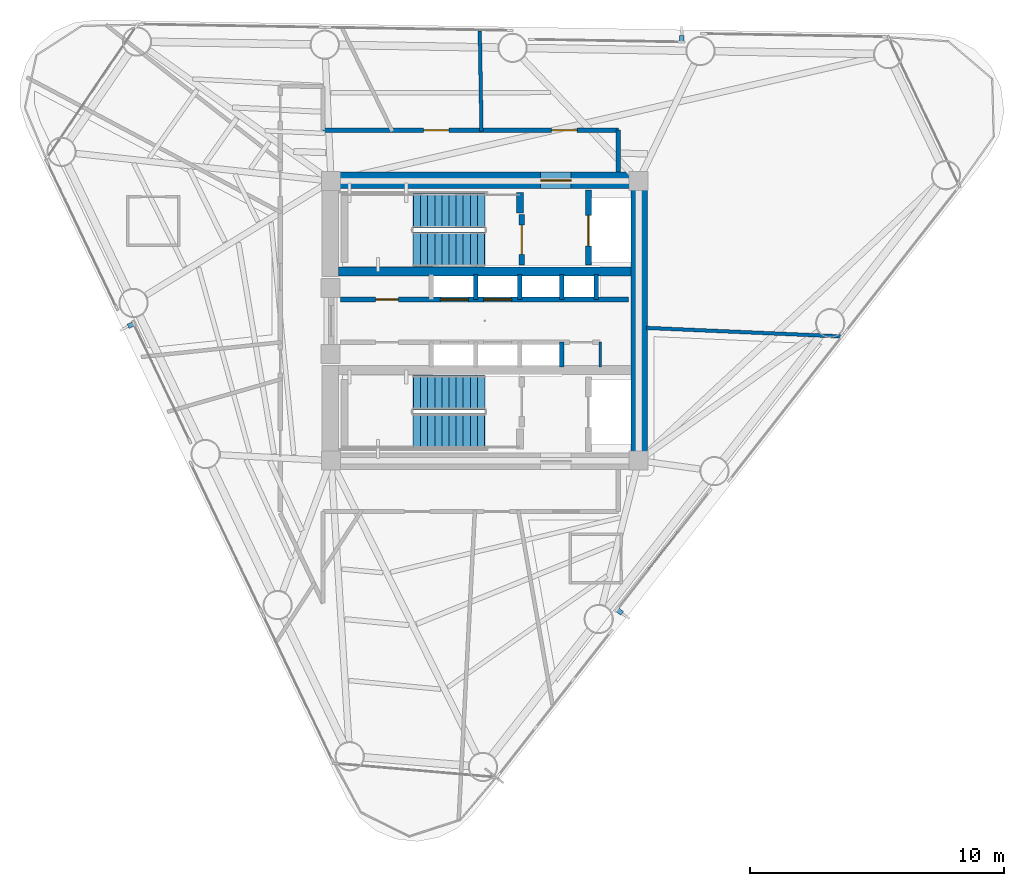
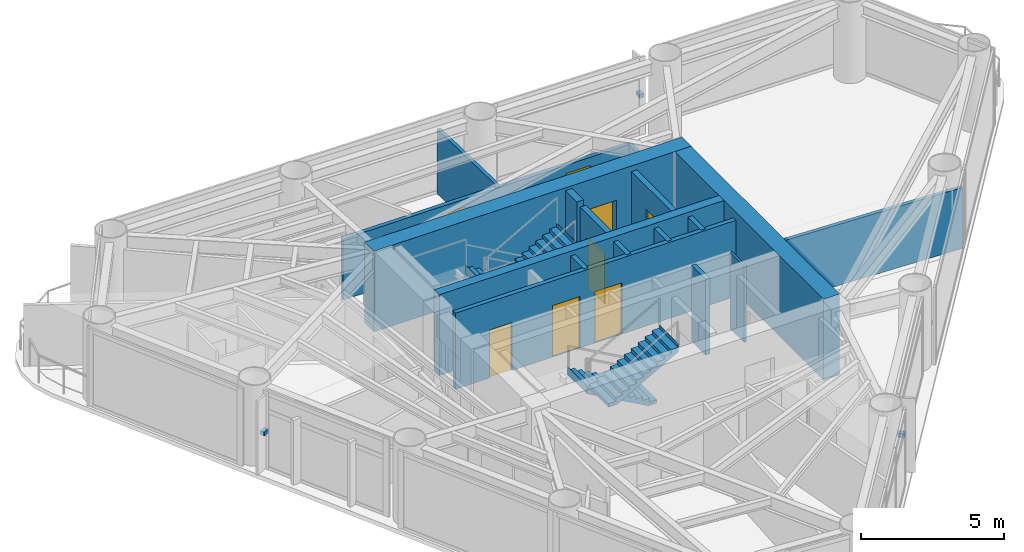
# One storey, part 6 of 10: 17 walls, 8 doors, 4 stair flights, 3 discrete accessories, 8 openings, 2 elements without a shape of their own.
"""IFC4 building model written with IfcOpenShell, lengths in metres."""

from ifc_helpers import new_model, si_unit, direction, frame, frame_2d, origin, origin_2d, place, context, subcontext, project, spatial, polyline, rectangle, outline, extrude, source, transform, mapped, material, layer, layer_set, type_object, element, fill, aggregate, save


model = new_model("IFC4")

# Units and contexts
model_context = context("Model", 3, precision=1e-05, world=origin(), true_north=direction((0.0, 1.0)))
body_context = subcontext(model_context, "Body", "Model", "MODEL_VIEW")
ifc_project = project(units=[si_unit("LENGTHUNIT", "METRE"), si_unit("AREAUNIT", "SQUARE_METRE"), si_unit("VOLUMEUNIT", "CUBIC_METRE"), si_unit("PLANEANGLEUNIT", "RADIAN"), si_unit("MASSUNIT", "GRAM", prefix="KILO")], contexts=[model_context])

# Site, building, storey
site_placement = place(None, origin())
site = spatial("IfcSite", under=ifc_project, at=site_placement, CompositionType="ELEMENT")
building_placement = place(site_placement, origin())
building = spatial("IfcBuilding", under=site, at=building_placement, Name="Yunling Apex Tower", CompositionType="ELEMENT")
storey_placement = place(building_placement, frame((0.0, 0.0, 191.449951171875)))
storey = spatial("IfcBuildingStorey", under=building, at=storey_placement, Name="L46", CompositionType="ELEMENT", Elevation=191.449951171875)

# Wall, opening, door
ifc_material_1 = material(Name="Concrete C50", Category="concrete")
ifc_layer_1 = layer(ifc_material_1, 0.64990234375)
ifc_layer_set_1 = layer_set([ifc_layer_1], Name="Concrete C50")
wall_type_1 = type_object("IfcWallType", Name="WL-COR-2", PredefinedType="SHEAR", material=ifc_layer_set_1)
wall_1_placement = place(storey_placement, frame((-6.39990234375, 5.52490234375, 0.0), z_axis=(0.0, 0.0, 1.0), x_axis=(1.0, 0.0, 0.0)))
wall_1 = element("IfcWall", 1, at=wall_1_placement, inside=storey, type_object=wall_type_1, Name="L46 North Core Shear Wall", PredefinedType="SHEAR", context=body_context, shape_type="SweptSolid", body=[
    extrude(rectangle(XDim=12.7998046875, YDim=0.64990234375, at=frame_2d((6.39990234375, 0.0))), origin(), (0.0, 0.0, 1.0), 3.449951171875),
])
opening_1_placement = place(wall_1_placement, frame((8.60009765625, 0.0, 0.0)))
opening_1 = element("IfcOpeningElement", 2, at=opening_1_placement, cuts=wall_1, Name="Opening DR-FFL-1", PredefinedType="OPENING", context=body_context, shape_type="SweptSolid", body=[
    extrude(rectangle(XDim=1.199951171875, YDim=2.199951171875, at=frame_2d((0.60009765625, 1.10009765625))), frame((0.0, 0.3349609375, 0.0), z_axis=(0.0, -1.0, 0.0), x_axis=(1.0, 0.0, 0.0)), (0.0, 0.0, 1.0), 0.669921875),
])
ifc_material_2 = material(Name="Steel Q355B", Category="steel")
door_type_1 = type_object("IfcDoorType", Name="DR-FFL-1", OperationType="NOTDEFINED", PredefinedType="DOOR", material=ifc_material_2)
door_1_placement = place(opening_1_placement, origin())
door_1 = element("IfcDoor", 3, at=door_1_placement, inside=storey, type_object=door_type_1, Name="L46 North Firefighting Lobby Door", OperationType="SINGLE_SWING_LEFT", OverallHeight=2.199951171875, OverallWidth=1.199951171875, PredefinedType="DOOR", context=body_context, shape_type="SweptSolid", body=[
    extrude(rectangle(XDim=1.199951171875, YDim=2.199951171875, at=frame_2d((0.60009765625, 1.10009765625))), frame((0.0, 0.02490234375, 0.0), z_axis=(0.0, -1.0, 0.0), x_axis=(1.0, 0.0, 0.0)), (0.0, 0.0, 1.0), 0.050048828125),
])
fill(opening_1, door_1)

# Walls
wall_2_placement = place(storey_placement, frame((6.074951171875, -5.199951171875, 0.0), z_axis=(0.0, 0.0, 1.0), x_axis=(0.0, 1.0, 0.0)))
element("IfcWall", 4, at=wall_2_placement, inside=storey, type_object=wall_type_1, Name="L46 East Core Shear Wall", PredefinedType="SHEAR", context=body_context, shape_type="SweptSolid", body=[
    extrude(rectangle(XDim=10.39990234375, YDim=0.64990234375, at=frame_2d((5.199951171875, 0.0))), origin(), (0.0, 0.0, 1.0), 3.449951171875),
])
ifc_material_3 = material(Name="Concrete C40", Category="concrete")
ifc_layer_2 = layer(ifc_material_3, 0.360107421875)
ifc_layer_set_2 = layer_set([ifc_layer_2], Name="Concrete C40")
wall_type_2 = type_object("IfcWallType", Name="WL-COR-4", PredefinedType="SHEAR", material=ifc_layer_set_2)
wall_3_placement = place(storey_placement, frame((-5.75, 1.93994140625, 0.0), z_axis=(0.0, 0.0, 1.0), x_axis=(1.0, 0.0, 0.0)))
element("IfcWall", 5, at=wall_3_placement, inside=storey, type_object=wall_type_2, Name="L46 North Internal Core Shear Wall", PredefinedType="SHEAR", context=body_context, shape_type="SweptSolid", body=[
    extrude(rectangle(XDim=11.5, YDim=0.360107421875, at=frame_2d((5.75, 0.0))), origin(), (0.0, 0.0, 1.0), 3.449951171875),
])
ifc_layer_3 = layer(ifc_material_3, 0.280029296875)
ifc_layer_set_3 = layer_set([ifc_layer_3], Name="Concrete C40")
wall_type_3 = type_object("IfcWallType", Name="WL-COR-8", PredefinedType="SHEAR", material=ifc_layer_set_3)
wall_4_placement = place(storey_placement, frame((1.3798828125, 4.25, 0.0), z_axis=(0.0, 0.0, 1.0), x_axis=(0.0, 1.0, 0.0)))
element("IfcWall", 6, at=wall_4_placement, inside=storey, type_object=wall_type_3, Name="L46 ST-1 East Landing Bearing Pier", PredefinedType="SHEAR", context=body_context, shape_type="SweptSolid", body=[
    extrude(rectangle(XDim=0.800048828125, YDim=0.280029296875, at=frame_2d((0.39990234375, 0.0))), origin(), (0.0, 0.0, 1.0), 3.449951171875),
])

# Wall, openings, doors
ifc_material_4 = material(Name="Gypsum board acoustic partition")
ifc_layer_4 = layer(ifc_material_4, 0.159912109375)
ifc_layer_set_4 = layer_set([ifc_layer_4], Name="Gypsum board acoustic partition")
wall_type_4 = type_object("IfcWallType", Name="WL-PRT-1", PredefinedType="PARTITIONING", material=ifc_layer_set_4)
wall_5_placement = place(storey_placement, frame((-6.360107421875, 7.5, 0.0), z_axis=(0.0, 0.0, 1.0), x_axis=(1.0, 0.0, 0.0)))
wall_5 = element("IfcWall", 7, at=wall_5_placement, inside=storey, type_object=wall_type_4, Name="WL-CORR-L46-07", PredefinedType="PARTITIONING", context=body_context, shape_type="SweptSolid", body=[
    extrude(rectangle(XDim=11.610107421875, YDim=0.159912109375, at=frame_2d((5.80517578125, 0.0))), origin(), (0.0, 0.0, 1.0), 2.60498046875),
])
opening_2_placement = place(wall_5_placement, frame((3.94775390625, 0.0, 0.0)))
opening_2 = element("IfcOpeningElement", 8, at=opening_2_placement, cuts=wall_5, Name="Opening DR-OFF-1", PredefinedType="OPENING", context=body_context, shape_type="SweptSolid", body=[
    extrude(rectangle(XDim=1.0, YDim=2.25, at=frame_2d((0.5, 1.125))), frame((0.0, 0.08984375, 0.0), z_axis=(0.0, -1.0, 0.0), x_axis=(1.0, 0.0, 0.0)), (0.0, 0.0, 1.0), 0.179931640625),
])
opening_3_placement = place(wall_5_placement, frame((8.9931640625, 0.0, 0.0)))
opening_3 = element("IfcOpeningElement", 9, at=opening_3_placement, cuts=wall_5, Name="Opening DR-OFF-1", PredefinedType="OPENING", context=body_context, shape_type="SweptSolid", body=[
    extrude(rectangle(XDim=1.0, YDim=2.25, at=frame_2d((0.5, 1.125))), frame((0.0, 0.08984375, 0.0), z_axis=(0.0, -1.0, 0.0), x_axis=(1.0, 0.0, 0.0)), (0.0, 0.0, 1.0), 0.179931640625),
])
ifc_material_5 = material(Name="Bronze anodised aluminium", Category="aluminium")
door_type_2 = type_object("IfcDoorType", Name="DR-OFF-1", OperationType="NOTDEFINED", PredefinedType="DOOR", material=ifc_material_5)
door_2_placement = place(opening_2_placement, origin())
door_2 = element("IfcDoor", 10, at=door_2_placement, inside=storey, type_object=door_type_2, Name="L46 Club Lounge Door", OperationType="SINGLE_SWING_RIGHT", OverallHeight=2.25, OverallWidth=1.0, PredefinedType="DOOR", context=body_context, shape_type="SweptSolid", body=[
    extrude(rectangle(XDim=1.0, YDim=2.25, at=frame_2d((0.5, 1.125))), frame((0.0, 0.02490234375, 0.0), z_axis=(0.0, -1.0, 0.0), x_axis=(1.0, 0.0, 0.0)), (0.0, 0.0, 1.0), 0.050048828125),
])
fill(opening_2, door_2)
door_3_placement = place(opening_3_placement, origin())
door_3 = element("IfcDoor", 11, at=door_3_placement, inside=storey, type_object=door_type_2, Name="L46 Club Lounge Door", OperationType="SINGLE_SWING_LEFT", OverallHeight=2.25, OverallWidth=1.0, PredefinedType="DOOR", context=body_context, shape_type="SweptSolid", body=[
    extrude(rectangle(XDim=1.0, YDim=2.25, at=frame_2d((0.5, 1.125))), frame((0.0, 0.02490234375, 0.0), z_axis=(0.0, -1.0, 0.0), x_axis=(1.0, 0.0, 0.0)), (0.0, 0.0, 1.0), 0.050048828125),
])
fill(opening_3, door_3)

# Walls
wall_6_placement = place(storey_placement, frame((5.25, 7.5, 0.0), z_axis=(0.0, 0.0, 1.0), x_axis=(0.0, -1.0, 0.0)))
element("IfcWall", 12, at=wall_6_placement, inside=storey, type_object=wall_type_4, Name="WL-CORR-L46-08", PredefinedType="PARTITIONING", context=body_context, shape_type="SweptSolid", body=[
    extrude(rectangle(XDim=1.64990234375, YDim=0.159912109375, at=frame_2d((0.824951171875, 0.0))), origin(), (0.0, 0.0, 1.0), 2.60498046875),
])
ifc_layer_5 = layer(ifc_material_4, 0.139892578125)
ifc_layer_set_5 = layer_set([ifc_layer_5], Name="Gypsum board acoustic partition")
wall_type_5 = type_object("IfcWallType", Name="WL-PRT-2", PredefinedType="PARTITIONING", material=ifc_layer_set_5)
wall_7_placement = place(storey_placement, frame((6.360107421875, -0.277587890625, 0.0), z_axis=(0.0, 0.0, 1.0), x_axis=(0.999047276506, -0.04364102778, 0.0)))
element("IfcWall", 13, at=wall_7_placement, inside=storey, type_object=wall_type_5, Name="WL-RAD-L46-01", PredefinedType="PARTITIONING", context=body_context, shape_type="SweptSolid", body=[
    extrude(rectangle(XDim=7.641845703125, YDim=0.139892578125, at=frame_2d((3.82080078125, 0.0))), origin(), (0.0, 0.0, 1.0), 2.60498046875),
])
wall_8_placement = place(storey_placement, frame((-0.130126953125, 7.4599609375, 0.0), z_axis=(0.0, 0.0, 1.0), x_axis=(-0.017456477835, 0.999847624082, 0.0)))
element("IfcWall", 14, at=wall_8_placement, inside=storey, type_object=wall_type_5, Name="WL-RAD-L46-02", PredefinedType="PARTITIONING", context=body_context, shape_type="SweptSolid", body=[
    extrude(rectangle(XDim=3.94384765625, YDim=0.139892578125, at=frame_2d((1.971923828125, 0.0))), origin(), (0.0, 0.0, 1.0), 2.76513671875),
])
ifc_layer_6 = layer(ifc_material_4, 0.10009765625)
ifc_layer_set_6 = layer_set([ifc_layer_6], Name="Gypsum board acoustic partition")
wall_type_6 = type_object("IfcWallType", Name="WL-PRT-4", PredefinedType="PARTITIONING", material=ifc_layer_set_6)
wall_9_placement = place(storey_placement, frame((4.5400390625, -1.820068359375, 0.0), z_axis=(0.0, 0.0, 1.0), x_axis=(0.0, 1.0, 0.0)))
element("IfcWall", 15, at=wall_9_placement, inside=storey, type_object=wall_type_6, Name="WL-KASE-E-L46", PredefinedType="PARTITIONING", context=body_context, shape_type="SweptSolid", body=[
    extrude(rectangle(XDim=0.97998046875, YDim=0.10009765625, at=frame_2d((0.489990234375, 0.0))), origin(), (0.0, 0.0, 1.0), 3.25),
])

# Wall, opening, door
ifc_material_6 = material(Name="Autoclaved aerated concrete masonry", Category="masonry")
ifc_layer_7 = layer(ifc_material_6, 0.219970703125)
ifc_layer_set_7 = layer_set([ifc_layer_7], Name="Autoclaved aerated concrete masonry")
wall_type_7 = type_object("IfcWallType", Name="WL-SHF-1", PredefinedType="PLUMBINGWALL", material=ifc_layer_set_7)
wall_10_placement = place(storey_placement, frame((1.449951171875, 2.199951171875, 0.0), z_axis=(0.0, 0.0, 1.0), x_axis=(0.0, 1.0, 0.0)))
wall_10 = element("IfcWall", 16, at=wall_10_placement, inside=storey, type_object=wall_type_7, Name="WL-ST1-E-L46", PredefinedType="PLUMBINGWALL", context=body_context, shape_type="SweptSolid", body=[
    extrude(rectangle(XDim=1.97998046875, YDim=0.219970703125, at=frame_2d((0.989990234375, 0.0))), origin(), (0.0, 0.0, 1.0), 3.25),
])
opening_4_placement = place(wall_10_placement, frame((0.419921875, 0.0, 0.0)))
opening_4 = element("IfcOpeningElement", 17, at=opening_4_placement, cuts=wall_10, Name="Opening DR-ST-1", PredefinedType="OPENING", context=body_context, shape_type="SweptSolid", body=[
    extrude(rectangle(XDim=1.14990234375, YDim=2.14990234375, at=frame_2d((0.574951171875, 1.074951171875))), frame((0.0, 0.1201171875, 0.0), z_axis=(0.0, -1.0, 0.0), x_axis=(1.0, 0.0, 0.0)), (0.0, 0.0, 1.0), 0.239990234375),
])
door_type_3 = type_object("IfcDoorType", Name="DR-ST-1", OperationType="NOTDEFINED", PredefinedType="DOOR", material=ifc_material_2)
door_4_placement = place(opening_4_placement, origin())
door_4 = element("IfcDoor", 18, at=door_4_placement, inside=storey, type_object=door_type_3, Name="L46 Stair ST-1 Fire Door", OperationType="SINGLE_SWING_RIGHT", OverallHeight=2.14990234375, OverallWidth=1.14990234375, PredefinedType="DOOR", context=body_context, shape_type="SweptSolid", body=[
    extrude(rectangle(XDim=1.14990234375, YDim=2.14990234375, at=frame_2d((0.574951171875, 1.074951171875))), frame((0.0, 0.02490234375, 0.0), z_axis=(0.0, -1.0, 0.0), x_axis=(1.0, 0.0, 0.0)), (0.0, 0.0, 1.0), 0.050048828125),
])
fill(opening_4, door_4)

wall_11_placement = place(storey_placement, frame((4.080078125, 2.199951171875, 0.0), z_axis=(0.0, 0.0, 1.0), x_axis=(0.0, 1.0, 0.0)))
wall_11 = element("IfcWall", 19, at=wall_11_placement, inside=storey, type_object=wall_type_7, Name="WL-FFL1-W-L46", PredefinedType="PLUMBINGWALL", context=body_context, shape_type="SweptSolid", body=[
    extrude(rectangle(XDim=2.949951171875, YDim=0.219970703125, at=frame_2d((1.47509765625, 0.0))), origin(), (0.0, 0.0, 1.0), 3.25),
])
opening_5_placement = place(wall_11_placement, frame((0.75, 0.0, 0.0)))
opening_5 = element("IfcOpeningElement", 20, at=opening_5_placement, cuts=wall_11, Name="Opening LD-FFL-1", PredefinedType="OPENING", context=body_context, shape_type="SweptSolid", body=[
    extrude(rectangle(XDim=1.199951171875, YDim=2.25, at=frame_2d((0.60009765625, 1.125))), frame((0.0, 0.1201171875, 0.0), z_axis=(0.0, -1.0, 0.0), x_axis=(1.0, 0.0, 0.0)), (0.0, 0.0, 1.0), 0.239990234375),
])
door_type_4 = type_object("IfcDoorType", Name="LD-FFL-1", OperationType="DOUBLE_DOOR_SLIDING", PredefinedType="DOOR", material=ifc_material_2)
door_5_placement = place(opening_5_placement, origin())
door_5 = element("IfcDoor", 21, at=door_5_placement, inside=storey, type_object=door_type_4, Name="L46 Lift FFL-1 Landing Door", OperationType="DOUBLE_DOOR_SLIDING", OverallHeight=2.25, OverallWidth=1.199951171875, PredefinedType="DOOR", context=body_context, shape_type="SweptSolid", body=[
    extrude(rectangle(XDim=1.199951171875, YDim=2.25, at=frame_2d((0.60009765625, 1.125))), frame((0.0, 0.02490234375, 0.0), z_axis=(0.0, -1.0, 0.0), x_axis=(1.0, 0.0, 0.0)), (0.0, 0.0, 1.0), 0.050048828125),
])
fill(opening_5, door_5)

# Walls
ifc_layer_8 = layer(ifc_material_6, 0.179931640625)
ifc_layer_set_8 = layer_set([ifc_layer_8], Name="Autoclaved aerated concrete masonry")
wall_type_8 = type_object("IfcWallType", Name="WL-SHF-2", PredefinedType="PLUMBINGWALL", material=ifc_layer_set_8)
for number, where, z_axis, x_axis, name in (
    (22, (-0.35009765625, 0.840087890625, 0.0), (0.0, 0.0, 1.0), (0.0, 1.0, 0.0), "WL-DIV-M12-L46"),
    (23, (1.3798828125, 0.840087890625, 0.0), (0.0, 0.0, 1.0), (0.0, 1.0, 0.0), "WL-BNK-MH-N-L46"),
    (24, (3.02001953125, 0.840087890625, 0.0), (0.0, 0.0, 1.0), (0.0, 1.0, 0.0), "WL-DIV-H13-L46"),
    (25, (4.3798828125, 0.840087890625, 0.0), (0.0, 0.0, 1.0), (0.0, 1.0, 0.0), "WL-END-H3E-L46"),
    (26, (3.02001953125, -1.820068359375, 0.0), (0.0, 0.0, 1.0), (0.0, 1.0, 0.0), "WL-END-H2E-L46"),
):
    element("IfcWall", number, at=place(storey_placement, frame(where, z_axis=z_axis, x_axis=x_axis)), inside=storey, type_object=wall_type_8, Name=name, PredefinedType="PLUMBINGWALL", context=body_context, shape_type="SweptSolid", body=[
        extrude(rectangle(XDim=0.97998046875, YDim=0.179931640625, at=frame_2d((0.489990234375, 0.0))), origin(), (0.0, 0.0, 1.0), 3.25),
    ])

# Wall, openings, doors
wall_12_placement = place(storey_placement, frame((-5.679931640625, 0.840087890625, 0.0), z_axis=(0.0, 0.0, 1.0), x_axis=(1.0, 0.0, 0.0)))
wall_12 = element("IfcWall", 27, at=wall_12_placement, inside=storey, type_object=wall_type_8, Name="WL-LOB-N-L46", PredefinedType="PLUMBINGWALL", context=body_context, shape_type="SweptSolid", body=[
    extrude(rectangle(XDim=11.329833984375, YDim=0.179931640625, at=frame_2d((5.6650390625, 0.0))), origin(), (0.0, 0.0, 1.0), 3.25),
])
opening_6_placement = place(wall_12_placement, frame((1.3798828125, 0.0, 0.0)))
opening_6 = element("IfcOpeningElement", 28, at=opening_6_placement, cuts=wall_12, Name="Opening DR-SHF-1", PredefinedType="OPENING", context=body_context, shape_type="SweptSolid", body=[
    extrude(rectangle(XDim=0.89990234375, YDim=2.050048828125, at=frame_2d((0.449951171875, 1.02490234375))), frame((0.0, 0.10009765625, 0.0), z_axis=(0.0, -1.0, 0.0), x_axis=(1.0, 0.0, 0.0)), (0.0, 0.0, 1.0), 0.199951171875),
])
opening_7_placement = place(wall_12_placement, frame((3.929931640625, 0.0, 0.0)))
opening_7 = element("IfcOpeningElement", 29, at=opening_7_placement, cuts=wall_12, Name="Opening LD-PAS-1", PredefinedType="OPENING", context=body_context, shape_type="SweptSolid", body=[
    extrude(rectangle(XDim=1.10009765625, YDim=2.199951171875, at=frame_2d((0.550048828125, 1.10009765625))), frame((0.0, 0.10009765625, 0.0), z_axis=(0.0, -1.0, 0.0), x_axis=(1.0, 0.0, 0.0)), (0.0, 0.0, 1.0), 0.199951171875),
])
opening_8_placement = place(wall_12_placement, frame((5.6298828125, 0.0, 0.0)))
opening_8 = element("IfcOpeningElement", 30, at=opening_8_placement, cuts=wall_12, Name="Opening LD-PAS-1", PredefinedType="OPENING", context=body_context, shape_type="SweptSolid", body=[
    extrude(rectangle(XDim=1.10009765625, YDim=2.199951171875, at=frame_2d((0.550048828125, 1.10009765625))), frame((0.0, 0.10009765625, 0.0), z_axis=(0.0, -1.0, 0.0), x_axis=(1.0, 0.0, 0.0)), (0.0, 0.0, 1.0), 0.199951171875),
])
door_type_5 = type_object("IfcDoorType", Name="DR-SHF-1", OperationType="NOTDEFINED", PredefinedType="DOOR", material=ifc_material_2)
door_6_placement = place(opening_6_placement, origin())
door_6 = element("IfcDoor", 31, at=door_6_placement, inside=storey, type_object=door_type_5, Name="L46 Parcel Store Door", OperationType="SINGLE_SWING_RIGHT", OverallHeight=2.050048828125, OverallWidth=0.89990234375, PredefinedType="DOOR", context=body_context, shape_type="SweptSolid", body=[
    extrude(rectangle(XDim=0.89990234375, YDim=2.050048828125, at=frame_2d((0.449951171875, 1.02490234375))), frame((0.0, 0.02490234375, 0.0), z_axis=(0.0, -1.0, 0.0), x_axis=(1.0, 0.0, 0.0)), (0.0, 0.0, 1.0), 0.050048828125),
])
fill(opening_6, door_6)
ifc_material_7 = material(Name="Silver anodised aluminium", Category="aluminium")
door_type_6 = type_object("IfcDoorType", Name="LD-PAS-1", OperationType="DOUBLE_DOOR_SLIDING", PredefinedType="DOOR", material=ifc_material_7)
door_7_placement = place(opening_7_placement, origin())
door_7 = element("IfcDoor", 32, at=door_7_placement, inside=storey, type_object=door_type_6, Name="L46 Lift PL-M1 Landing Door", OperationType="DOUBLE_DOOR_SLIDING", OverallHeight=2.199951171875, OverallWidth=1.10009765625, PredefinedType="DOOR", context=body_context, shape_type="SweptSolid", body=[
    extrude(rectangle(XDim=1.10009765625, YDim=2.199951171875, at=frame_2d((0.550048828125, 1.10009765625))), frame((0.0, 0.02490234375, 0.0), z_axis=(0.0, -1.0, 0.0), x_axis=(1.0, 0.0, 0.0)), (0.0, 0.0, 1.0), 0.050048828125),
])
fill(opening_7, door_7)
door_8_placement = place(opening_8_placement, origin())
door_8 = element("IfcDoor", 33, at=door_8_placement, inside=storey, type_object=door_type_6, Name="L46 Lift PL-M2 Landing Door", OperationType="DOUBLE_DOOR_SLIDING", OverallHeight=2.199951171875, OverallWidth=1.10009765625, PredefinedType="DOOR", context=body_context, shape_type="SweptSolid", body=[
    extrude(rectangle(XDim=1.10009765625, YDim=2.199951171875, at=frame_2d((0.550048828125, 1.10009765625))), frame((0.0, 0.02490234375, 0.0), z_axis=(0.0, -1.0, 0.0), x_axis=(1.0, 0.0, 0.0)), (0.0, 0.0, 1.0), 0.050048828125),
])
fill(opening_8, door_8)

# Stair, stair flights
stair_type = type_object("IfcStairType", Name="ST-TWR-2", PredefinedType="HALF_TURN_STAIR", material=ifc_material_3)
stair_1_placement = place(storey_placement, origin())
stair_1 = element("IfcStair", 34, at=stair_1_placement, inside=storey, type_object=stair_type, Name="L46 North Core Smokeproof Exit Stair ST-1", PredefinedType="HALF_TURN_STAIR")
stair_flight_type = type_object("IfcStairFlightType", Name="SFL-TWR-2", PredefinedType="STRAIGHT", material=ifc_material_3)
stair_flight_1_placement = place(storey_placement, frame((-0.010009765625, 4.330078125, 0.0), z_axis=(0.0, 0.0, 1.0), x_axis=(-1.0, 0.0, 0.0)))
stair_flight_1 = element("IfcStairFlight", 35, at=stair_flight_1_placement, type_object=stair_flight_type, Name="ST-1 flight 1", NumberOfRisers=11, NumberOfTreads=10, PredefinedType="STRAIGHT", RiserHeight=0.156818182, TreadLength=0.28, context=body_context, shape_type="SweptSolid", body=[
    extrude(outline(polyline([(-0.011962890625, 0.0), (-0.011962890625, 0.15673828125), (0.0, 0.15673828125), (0.280029296875, 0.15673828125), (0.280029296875, 0.313720703125), (0.56005859375, 0.313720703125), (0.56005859375, 0.470458984375), (0.840087890625, 0.470458984375), (0.840087890625, 0.627197265625), (1.1201171875, 0.627197265625), (1.1201171875, 0.7841796875), (1.39990234375, 0.7841796875), (1.39990234375, 0.94091796875), (1.679931640625, 0.94091796875), (1.679931640625, 1.09765625), (1.9599609375, 1.09765625), (1.9599609375, 1.254638671875), (2.239990234375, 1.254638671875), (2.239990234375, 1.411376953125), (2.52001953125, 1.411376953125), (2.52001953125, 1.568115234375), (2.800048828125, 1.568115234375), (2.800048828125, 1.72509765625), (2.81201171875, 1.72509765625), (2.81201171875, 1.385009765625), (0.3271484375, 0.0), (-0.011962890625, 0.0)])), frame((0.0, 0.68017578125, 0.0), z_axis=(0.0, -1.0, 0.0), x_axis=(1.0, 0.0, 0.0)), (0.0, 0.0, 1.0), 1.360107421875),
])
stair_flight_2_placement = place(storey_placement, frame((-2.81005859375, 2.820068359375, 1.72509765625), z_axis=(0.0, 0.0, 1.0), x_axis=(1.0, 0.0, 0.0)))
stair_flight_2 = element("IfcStairFlight", 36, at=stair_flight_2_placement, type_object=stair_flight_type, Name="ST-1 flight 2", NumberOfRisers=11, NumberOfTreads=10, PredefinedType="STRAIGHT", RiserHeight=0.156818182, TreadLength=0.28, context=body_context, shape_type="SweptSolid", body=[
    extrude(outline(polyline([(-0.011962890625, 0.0), (-0.011962890625, 0.15673828125), (0.0, 0.15673828125), (0.280029296875, 0.15673828125), (0.280029296875, 0.313720703125), (0.56005859375, 0.313720703125), (0.56005859375, 0.470458984375), (0.840087890625, 0.470458984375), (0.840087890625, 0.627197265625), (1.1201171875, 0.627197265625), (1.1201171875, 0.7841796875), (1.39990234375, 0.7841796875), (1.39990234375, 0.94091796875), (1.679931640625, 0.94091796875), (1.679931640625, 1.09765625), (1.9599609375, 1.09765625), (1.9599609375, 1.254638671875), (2.239990234375, 1.254638671875), (2.239990234375, 1.411376953125), (2.52001953125, 1.411376953125), (2.52001953125, 1.568115234375), (2.800048828125, 1.568115234375), (2.800048828125, 1.72509765625), (2.81201171875, 1.72509765625), (2.81201171875, 1.385009765625), (0.3271484375, 0.0), (-0.011962890625, 0.0)])), frame((0.0, 0.68017578125, 0.0), z_axis=(0.0, -1.0, 0.0), x_axis=(1.0, 0.0, 0.0)), (0.0, 0.0, 1.0), 1.360107421875),
])
aggregate(stair_1, [stair_flight_1, stair_flight_2])

stair_2_placement = place(storey_placement, origin())
stair_2 = element("IfcStair", 37, at=stair_2_placement, inside=storey, type_object=stair_type, Name="L46 South Core Smokeproof Exit Stair ST-2", PredefinedType="HALF_TURN_STAIR")
stair_flight_3_placement = place(storey_placement, frame((-0.010009765625, -2.820068359375, 0.0), z_axis=(0.0, 0.0, 1.0), x_axis=(-1.0, 0.0, 0.0)))
stair_flight_3 = element("IfcStairFlight", 38, at=stair_flight_3_placement, type_object=stair_flight_type, Name="ST-2 flight 1", NumberOfRisers=11, NumberOfTreads=10, PredefinedType="STRAIGHT", RiserHeight=0.156818182, TreadLength=0.28, context=body_context, shape_type="SweptSolid", body=[
    extrude(outline(polyline([(-0.011962890625, 0.0), (-0.011962890625, 0.15673828125), (0.0, 0.15673828125), (0.280029296875, 0.15673828125), (0.280029296875, 0.313720703125), (0.56005859375, 0.313720703125), (0.56005859375, 0.470458984375), (0.840087890625, 0.470458984375), (0.840087890625, 0.627197265625), (1.1201171875, 0.627197265625), (1.1201171875, 0.7841796875), (1.39990234375, 0.7841796875), (1.39990234375, 0.94091796875), (1.679931640625, 0.94091796875), (1.679931640625, 1.09765625), (1.9599609375, 1.09765625), (1.9599609375, 1.254638671875), (2.239990234375, 1.254638671875), (2.239990234375, 1.411376953125), (2.52001953125, 1.411376953125), (2.52001953125, 1.568115234375), (2.800048828125, 1.568115234375), (2.800048828125, 1.72509765625), (2.81201171875, 1.72509765625), (2.81201171875, 1.385009765625), (0.3271484375, 0.0), (-0.011962890625, 0.0)])), frame((0.0, 0.68017578125, 0.0), z_axis=(0.0, -1.0, 0.0), x_axis=(1.0, 0.0, 0.0)), (0.0, 0.0, 1.0), 1.360107421875),
])
stair_flight_4_placement = place(storey_placement, frame((-2.81005859375, -4.330078125, 1.72509765625), z_axis=(0.0, 0.0, 1.0), x_axis=(1.0, 0.0, 0.0)))
stair_flight_4 = element("IfcStairFlight", 39, at=stair_flight_4_placement, type_object=stair_flight_type, Name="ST-2 flight 2", NumberOfRisers=11, NumberOfTreads=10, PredefinedType="STRAIGHT", RiserHeight=0.156818182, TreadLength=0.28, context=body_context, shape_type="SweptSolid", body=[
    extrude(outline(polyline([(-0.011962890625, 0.0), (-0.011962890625, 0.15673828125), (0.0, 0.15673828125), (0.280029296875, 0.15673828125), (0.280029296875, 0.313720703125), (0.56005859375, 0.313720703125), (0.56005859375, 0.470458984375), (0.840087890625, 0.470458984375), (0.840087890625, 0.627197265625), (1.1201171875, 0.627197265625), (1.1201171875, 0.7841796875), (1.39990234375, 0.7841796875), (1.39990234375, 0.94091796875), (1.679931640625, 0.94091796875), (1.679931640625, 1.09765625), (1.9599609375, 1.09765625), (1.9599609375, 1.254638671875), (2.239990234375, 1.254638671875), (2.239990234375, 1.411376953125), (2.52001953125, 1.411376953125), (2.52001953125, 1.568115234375), (2.800048828125, 1.568115234375), (2.800048828125, 1.72509765625), (2.81201171875, 1.72509765625), (2.81201171875, 1.385009765625), (0.3271484375, 0.0), (-0.011962890625, 0.0)])), frame((0.0, 0.68017578125, 0.0), z_axis=(0.0, -1.0, 0.0), x_axis=(1.0, 0.0, 0.0)), (0.0, 0.0, 1.0), 1.360107421875),
])
aggregate(stair_2, [stair_flight_3, stair_flight_4])

# Discrete accessories
discrete_accessory_type = type_object("IfcDiscreteAccessoryType", Name="BK-FIN-1", PredefinedType="BRACKET", material=ifc_material_2)
shared_shape = source(origin(), body_context, "Body", "SweptSolid", [
    extrude(rectangle(XDim=0.179931640625, YDim=0.260009765625, at=origin_2d()), origin(), (0.0, 0.0, 1.0), 0.159912109375),
])
for number, where, z_axis, x_axis, name in (
    (40, (5.299072265625, -11.432861328125, 1.55517578125), (0.0, 0.0, 1.0), (0.616211460536, 0.787580748815, 0.0), "CW-L46-F1-B2-BRK-01-1"),
    (41, (7.749755859375, 11.090087890625, 1.55517578125), (0.0, 0.0, 1.0), (-0.999859635577, 0.016754376869, 0.0), "CW-L46-F2-B2-BRK-01-1"),
    (42, (-13.9189453125, -0.16162109375, 1.55517578125), (0.0, 0.0, 1.0), (0.430511096808, -0.90258528435, 0.0), "CW-L46-F3-B2-BRK-01-1"),
):
    element("IfcDiscreteAccessory", number, at=place(storey_placement, frame(where, z_axis=z_axis, x_axis=x_axis)), inside=storey, type_object=discrete_accessory_type, Name=name, PredefinedType="BRACKET", context=body_context, shape_type="MappedRepresentation", body=[
        mapped(shared_shape, transform((0.0, 0.0, 0.0), scale=1.0)),
    ])

save(model, "model.ifc")
